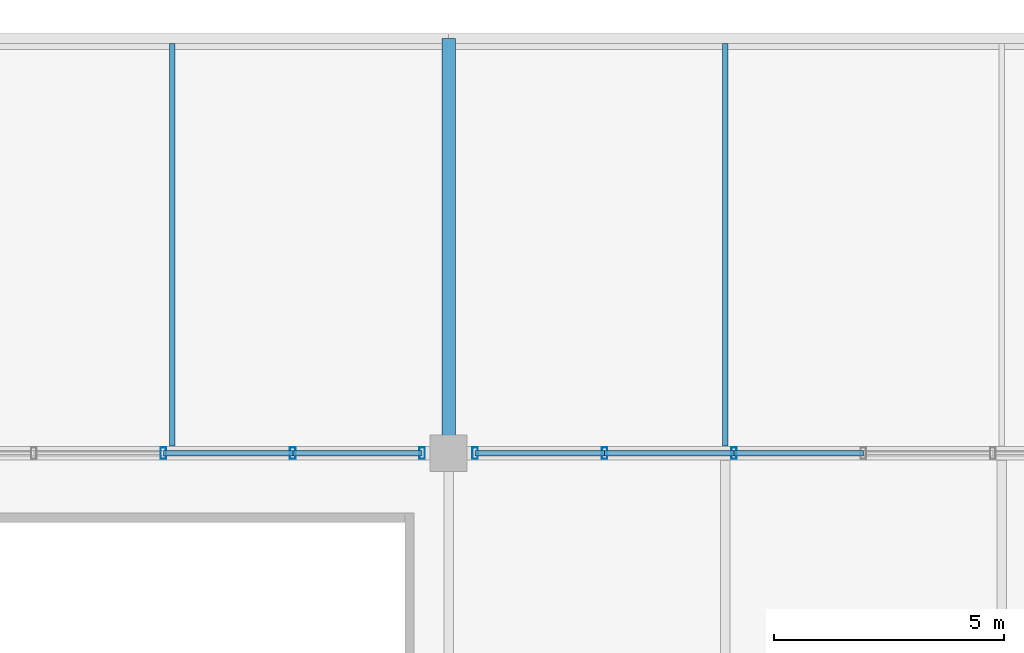
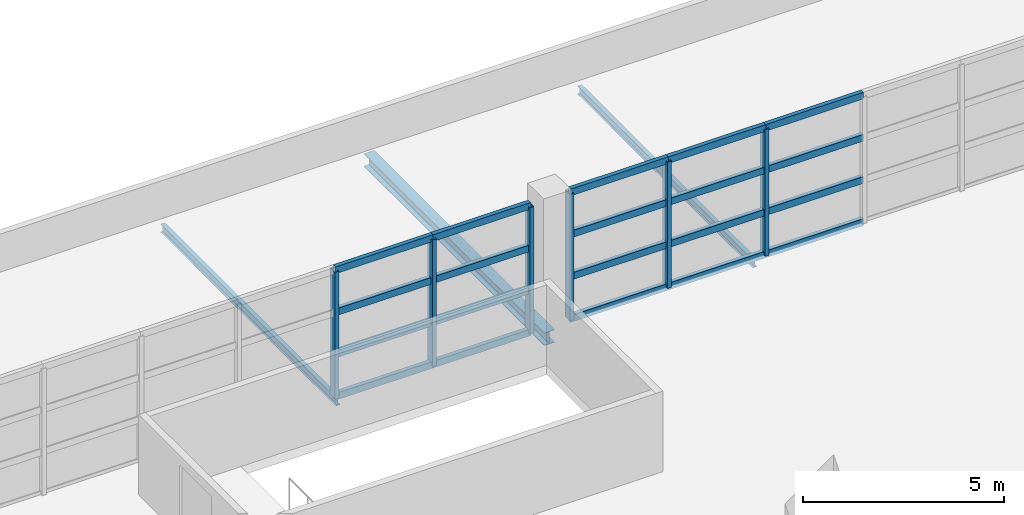
# One storey, part 48 of 136: 26 members, 3 beams, 2 elements without a shape of their own.
"""IFC4 building model written with IfcOpenShell, lengths in metres."""

from ifc_helpers import new_model, si_unit, direction, frame, origin, origin_2d, place, context, subcontext, project, spatial, hollow_rectangle, i_section, extrude, material, material_profile, profile_set, type_object, element, aggregate, save


model = new_model("IFC4")

# Units and contexts
model_context = context("Model", 3, precision=1e-05, world=origin(), true_north=direction((0.0, 1.0)))
body_context = subcontext(model_context, "Body", "Model", "MODEL_VIEW")
ifc_project = project(units=[si_unit("LENGTHUNIT", "METRE"), si_unit("AREAUNIT", "SQUARE_METRE"), si_unit("VOLUMEUNIT", "CUBIC_METRE"), si_unit("PLANEANGLEUNIT", "RADIAN"), si_unit("MASSUNIT", "GRAM", prefix="KILO")], contexts=[model_context])

# Site, building, storey
site_placement = place(None, origin())
site = spatial("IfcSite", under=ifc_project, at=site_placement, CompositionType="ELEMENT")
building_placement = place(site_placement, origin())
building = spatial("IfcBuilding", under=site, at=building_placement, Name="Chuanluo Vaults Station", CompositionType="ELEMENT")
storey_placement = place(building_placement, frame((0.0, 0.0, 6.60009765625)))
storey = spatial("IfcBuildingStorey", under=building, at=storey_placement, Name="L01", CompositionType="ELEMENT", Elevation=6.60009765625)

# Beams
ifc_material_1 = material(Name="Steel Q355C", Category="steel")
ifc_material_profile_1 = material_profile(ifc_material_1, i_section(OverallWidth=0.300048828125, OverallDepth=0.389892578125, WebThickness=0.010009765625, FlangeThickness=0.01611328125, FilletRadius=0.02001953125, at=origin_2d()))
ifc_profile_set_1 = profile_set([ifc_material_profile_1], Name="Steel Q355C")
beam_type_1 = type_object("IfcBeamType", Name="BM-GRD-400", PredefinedType="BEAM", material=ifc_profile_set_1)
beam_placement = place(storey_placement, frame((72.0, 117.0, -0.400146484375), z_axis=(0.0, 1.0, 0.0), x_axis=(-1.0, 0.0, 0.0)))
element("IfcBeam", 1, at=beam_placement, inside=storey, type_object=beam_type_1, Name="Floor girder BM:GY:L01:0439", PredefinedType="BEAM", context=body_context, shape_type="SweptSolid", body=[
    extrude(i_section(OverallWidth=0.300048828125, OverallDepth=0.389892578125, WebThickness=0.010009765625, FlangeThickness=0.01611328125, FilletRadius=0.02001953125, at=origin_2d()), origin(), (0.0, 0.0, 1.0), 9.0),
])
ifc_material_2 = material(Name="Steel Q355C", Category="steel")
ifc_material_profile_2 = material_profile(ifc_material_2, i_section(OverallWidth=0.125, OverallDepth=0.25, WebThickness=0.006103515625, FlangeThickness=0.009033203125, FilletRadius=0.011962890625, at=origin_2d()))
ifc_profile_set_2 = profile_set([ifc_material_profile_2], Name="Steel Q355C")
beam_type_2 = type_object("IfcBeamType", Name="BM-SEC-250", PredefinedType="JOIST", material=ifc_profile_set_2)
for number, where, z_axis, x_axis, name in (
    (2, (66.0, 117.155029296875, -0.330078125), (0.0, 1.0, 0.0), (-1.0, 0.0, 0.0), "Composite secondary joist 0127"),
    (3, (78.0, 117.155029296875, -0.330078125), (0.0, 1.0, 0.0), (-1.0, 0.0, 0.0), "Composite secondary joist 0134"),
):
    element("IfcBeam", number, at=place(storey_placement, frame(where, z_axis=z_axis, x_axis=x_axis)), inside=storey, type_object=beam_type_2, Name=name, PredefinedType="JOIST", context=body_context, shape_type="SweptSolid", body=[
        extrude(i_section(OverallWidth=0.125, OverallDepth=0.25, WebThickness=0.006103515625, FlangeThickness=0.009033203125, FilletRadius=0.011962890625, at=origin_2d()), origin(), (0.0, 0.0, 1.0), 8.73486328125),
    ])

# Curtain wall, members
ifc_material_3 = material(Name="Anodised aluminium 6063-T6", Category="aluminium")
curtain_wall_type_1 = type_object("IfcCurtainWallType", Name="CW-SYS-15", PredefinedType="NOTDEFINED", material=ifc_material_3)
curtain_wall_1_placement = place(storey_placement, origin())
curtain_wall_1 = element("IfcCurtainWall", 4, at=curtain_wall_1_placement, inside=storey, type_object=curtain_wall_type_1, Name="Over-track V4 north facade CW", PredefinedType="NOTDEFINED")
ifc_material_4 = material(Name="Anodised aluminium 6063-T6", Category="aluminium")
ifc_material_profile_3 = material_profile(ifc_material_4, hollow_rectangle(XDim=0.1201171875, YDim=0.25, WallThickness=0.006103515625, at=origin_2d()))
ifc_profile_set_3 = profile_set([ifc_material_profile_3], Name="Anodised aluminium 6063-T6")
member_type_1 = type_object("IfcMemberType", Name="CWM-160", PredefinedType="MULLION", material=ifc_profile_set_3)
member_1_placement = place(storey_placement, frame((65.808349609375, 117.0, 0.0), z_axis=(0.0, 0.0, 1.0), x_axis=(1.0, 0.0, 0.0)))
member_1 = element("IfcMember", 5, at=member_1_placement, type_object=member_type_1, Name="Over-track V4 north facade CW mullion 5", PredefinedType="MULLION", context=body_context, shape_type="SweptSolid", body=[
    extrude(hollow_rectangle(XDim=0.1201171875, YDim=0.25, WallThickness=0.006103515625, at=origin_2d()), origin(), (0.0, 0.0, 1.0), 3.849853515625),
])
member_2_placement = place(storey_placement, frame((68.61669921875, 117.0, 0.0), z_axis=(0.0, 0.0, 1.0), x_axis=(1.0, 0.0, 0.0)))
member_2 = element("IfcMember", 6, at=member_2_placement, type_object=member_type_1, Name="Over-track V4 north facade CW mullion 6", PredefinedType="MULLION", context=body_context, shape_type="SweptSolid", body=[
    extrude(hollow_rectangle(XDim=0.1201171875, YDim=0.25, WallThickness=0.006103515625, at=origin_2d()), origin(), (0.0, 0.0, 1.0), 3.849853515625),
])
member_3_placement = place(storey_placement, frame((71.425048828125, 117.0, 0.0), z_axis=(0.0, 0.0, 1.0), x_axis=(1.0, 0.0, 0.0)))
member_3 = element("IfcMember", 7, at=member_3_placement, type_object=member_type_1, Name="Over-track V4 north facade CW mullion 7", PredefinedType="MULLION", context=body_context, shape_type="SweptSolid", body=[
    extrude(hollow_rectangle(XDim=0.1201171875, YDim=0.25, WallThickness=0.006103515625, at=origin_2d()), origin(), (0.0, 0.0, 1.0), 3.849853515625),
])

ifc_material_5 = material(Name="Anodised aluminium 6063-T6", Category="aluminium")
curtain_wall_type_2 = type_object("IfcCurtainWallType", Name="CW-SYS-19", PredefinedType="NOTDEFINED", material=ifc_material_5)
curtain_wall_2_placement = place(storey_placement, origin())
curtain_wall_2 = element("IfcCurtainWall", 8, at=curtain_wall_2_placement, inside=storey, type_object=curtain_wall_type_2, Name="Over-track V5 north facade CW", PredefinedType="NOTDEFINED")
member_4_placement = place(storey_placement, frame((72.574951171875, 117.0, 0.0), z_axis=(0.0, 0.0, 1.0), x_axis=(1.0, 0.0, 0.0)))
member_4 = element("IfcMember", 9, at=member_4_placement, type_object=member_type_1, Name="Over-track V5 north facade CW mullion 1", PredefinedType="MULLION", context=body_context, shape_type="SweptSolid", body=[
    extrude(hollow_rectangle(XDim=0.1201171875, YDim=0.25, WallThickness=0.006103515625, at=origin_2d()), origin(), (0.0, 0.0, 1.0), 3.849853515625),
])
member_5_placement = place(storey_placement, frame((75.38330078125, 117.0, 0.0), z_axis=(0.0, 0.0, 1.0), x_axis=(1.0, 0.0, 0.0)))
member_5 = element("IfcMember", 10, at=member_5_placement, type_object=member_type_1, Name="Over-track V5 north facade CW mullion 2", PredefinedType="MULLION", context=body_context, shape_type="SweptSolid", body=[
    extrude(hollow_rectangle(XDim=0.1201171875, YDim=0.25, WallThickness=0.006103515625, at=origin_2d()), origin(), (0.0, 0.0, 1.0), 3.849853515625),
])
member_6_placement = place(storey_placement, frame((78.191650390625, 117.0, 0.0), z_axis=(0.0, 0.0, 1.0), x_axis=(1.0, 0.0, 0.0)))
member_6 = element("IfcMember", 11, at=member_6_placement, type_object=member_type_1, Name="Over-track V5 north facade CW mullion 3", PredefinedType="MULLION", context=body_context, shape_type="SweptSolid", body=[
    extrude(hollow_rectangle(XDim=0.1201171875, YDim=0.25, WallThickness=0.006103515625, at=origin_2d()), origin(), (0.0, 0.0, 1.0), 3.849853515625),
])

# Member
ifc_material_6 = material(Name="Anodised aluminium 6063-T6", Category="aluminium")
ifc_material_profile_4 = material_profile(ifc_material_6, hollow_rectangle(XDim=0.1201171875, YDim=0.205078125, WallThickness=0.006103515625, at=origin_2d()))
ifc_profile_set_4 = profile_set([ifc_material_profile_4], Name="Anodised aluminium 6063-T6")
member_type_2 = type_object("IfcMemberType", Name="CWT-130", PredefinedType="USERDEFINED", material=ifc_profile_set_4)
member_7_placement = place(storey_placement, frame((65.808349609375, 117.0, 0.0), z_axis=(1.0, 0.0, 0.0), x_axis=(0.0, 1.0, 0.0)))
member_7 = element("IfcMember", 12, at=member_7_placement, type_object=member_type_2, Name="Over-track V4 north facade CW transom 5.1", ObjectType="TRANSOM", PredefinedType="USERDEFINED", context=body_context, shape_type="SweptSolid", body=[
    extrude(hollow_rectangle(XDim=0.1201171875, YDim=0.205078125, WallThickness=0.006103515625, at=origin_2d()), origin(), (0.0, 0.0, 1.0), 2.808349609375),
])

member_8_placement = place(storey_placement, frame((65.808349609375, 117.0, 1.283203125), z_axis=(1.0, 0.0, 0.0), x_axis=(0.0, 1.0, 0.0)))
member_8 = element("IfcMember", 13, at=member_8_placement, type_object=member_type_2, Name="Over-track V4 north facade CW transom 5.2", ObjectType="TRANSOM", PredefinedType="USERDEFINED", context=body_context, shape_type="SweptSolid", body=[
    extrude(hollow_rectangle(XDim=0.1201171875, YDim=0.205078125, WallThickness=0.006103515625, at=origin_2d()), origin(), (0.0, 0.0, 1.0), 2.808349609375),
])

member_9_placement = place(storey_placement, frame((65.808349609375, 117.0, 2.566650390625), z_axis=(1.0, 0.0, 0.0), x_axis=(0.0, 1.0, 0.0)))
member_9 = element("IfcMember", 14, at=member_9_placement, type_object=member_type_2, Name="Over-track V4 north facade CW transom 5.3", ObjectType="TRANSOM", PredefinedType="USERDEFINED", context=body_context, shape_type="SweptSolid", body=[
    extrude(hollow_rectangle(XDim=0.1201171875, YDim=0.205078125, WallThickness=0.006103515625, at=origin_2d()), origin(), (0.0, 0.0, 1.0), 2.808349609375),
])

member_10_placement = place(storey_placement, frame((65.808349609375, 117.0, 3.849853515625), z_axis=(1.0, 0.0, 0.0), x_axis=(0.0, 1.0, 0.0)))
member_10 = element("IfcMember", 15, at=member_10_placement, type_object=member_type_2, Name="Over-track V4 north facade CW transom 5.4", ObjectType="TRANSOM", PredefinedType="USERDEFINED", context=body_context, shape_type="SweptSolid", body=[
    extrude(hollow_rectangle(XDim=0.1201171875, YDim=0.205078125, WallThickness=0.006103515625, at=origin_2d()), origin(), (0.0, 0.0, 1.0), 2.808349609375),
])

member_11_placement = place(storey_placement, frame((68.61669921875, 117.0, 0.0), z_axis=(1.0, 0.0, 0.0), x_axis=(0.0, 1.0, 0.0)))
member_11 = element("IfcMember", 16, at=member_11_placement, type_object=member_type_2, Name="Over-track V4 north facade CW transom 6.1", ObjectType="TRANSOM", PredefinedType="USERDEFINED", context=body_context, shape_type="SweptSolid", body=[
    extrude(hollow_rectangle(XDim=0.1201171875, YDim=0.205078125, WallThickness=0.006103515625, at=origin_2d()), origin(), (0.0, 0.0, 1.0), 2.808349609375),
])

member_12_placement = place(storey_placement, frame((68.61669921875, 117.0, 1.283203125), z_axis=(1.0, 0.0, 0.0), x_axis=(0.0, 1.0, 0.0)))
member_12 = element("IfcMember", 17, at=member_12_placement, type_object=member_type_2, Name="Over-track V4 north facade CW transom 6.2", ObjectType="TRANSOM", PredefinedType="USERDEFINED", context=body_context, shape_type="SweptSolid", body=[
    extrude(hollow_rectangle(XDim=0.1201171875, YDim=0.205078125, WallThickness=0.006103515625, at=origin_2d()), origin(), (0.0, 0.0, 1.0), 2.808349609375),
])

member_13_placement = place(storey_placement, frame((68.61669921875, 117.0, 2.566650390625), z_axis=(1.0, 0.0, 0.0), x_axis=(0.0, 1.0, 0.0)))
member_13 = element("IfcMember", 18, at=member_13_placement, type_object=member_type_2, Name="Over-track V4 north facade CW transom 6.3", ObjectType="TRANSOM", PredefinedType="USERDEFINED", context=body_context, shape_type="SweptSolid", body=[
    extrude(hollow_rectangle(XDim=0.1201171875, YDim=0.205078125, WallThickness=0.006103515625, at=origin_2d()), origin(), (0.0, 0.0, 1.0), 2.808349609375),
])

member_14_placement = place(storey_placement, frame((68.61669921875, 117.0, 3.849853515625), z_axis=(1.0, 0.0, 0.0), x_axis=(0.0, 1.0, 0.0)))
member_14 = element("IfcMember", 19, at=member_14_placement, type_object=member_type_2, Name="Over-track V4 north facade CW transom 6.4", ObjectType="TRANSOM", PredefinedType="USERDEFINED", context=body_context, shape_type="SweptSolid", body=[
    extrude(hollow_rectangle(XDim=0.1201171875, YDim=0.205078125, WallThickness=0.006103515625, at=origin_2d()), origin(), (0.0, 0.0, 1.0), 2.808349609375),
])

aggregate(curtain_wall_1, [member_1, member_2, member_3, member_7, member_8, member_9, member_10, member_11, member_12, member_13, member_14])

member_15_placement = place(storey_placement, frame((72.574951171875, 117.0, 0.0), z_axis=(1.0, 0.0, 0.0), x_axis=(0.0, 1.0, 0.0)))
member_15 = element("IfcMember", 20, at=member_15_placement, type_object=member_type_2, Name="Over-track V5 north facade CW transom 1.1", ObjectType="TRANSOM", PredefinedType="USERDEFINED", context=body_context, shape_type="SweptSolid", body=[
    extrude(hollow_rectangle(XDim=0.1201171875, YDim=0.205078125, WallThickness=0.006103515625, at=origin_2d()), origin(), (0.0, 0.0, 1.0), 2.808349609375),
])

member_16_placement = place(storey_placement, frame((72.574951171875, 117.0, 1.283203125), z_axis=(1.0, 0.0, 0.0), x_axis=(0.0, 1.0, 0.0)))
member_16 = element("IfcMember", 21, at=member_16_placement, type_object=member_type_2, Name="Over-track V5 north facade CW transom 1.2", ObjectType="TRANSOM", PredefinedType="USERDEFINED", context=body_context, shape_type="SweptSolid", body=[
    extrude(hollow_rectangle(XDim=0.1201171875, YDim=0.205078125, WallThickness=0.006103515625, at=origin_2d()), origin(), (0.0, 0.0, 1.0), 2.808349609375),
])

member_17_placement = place(storey_placement, frame((72.574951171875, 117.0, 2.566650390625), z_axis=(1.0, 0.0, 0.0), x_axis=(0.0, 1.0, 0.0)))
member_17 = element("IfcMember", 22, at=member_17_placement, type_object=member_type_2, Name="Over-track V5 north facade CW transom 1.3", ObjectType="TRANSOM", PredefinedType="USERDEFINED", context=body_context, shape_type="SweptSolid", body=[
    extrude(hollow_rectangle(XDim=0.1201171875, YDim=0.205078125, WallThickness=0.006103515625, at=origin_2d()), origin(), (0.0, 0.0, 1.0), 2.808349609375),
])

member_18_placement = place(storey_placement, frame((72.574951171875, 117.0, 3.849853515625), z_axis=(1.0, 0.0, 0.0), x_axis=(0.0, 1.0, 0.0)))
member_18 = element("IfcMember", 23, at=member_18_placement, type_object=member_type_2, Name="Over-track V5 north facade CW transom 1.4", ObjectType="TRANSOM", PredefinedType="USERDEFINED", context=body_context, shape_type="SweptSolid", body=[
    extrude(hollow_rectangle(XDim=0.1201171875, YDim=0.205078125, WallThickness=0.006103515625, at=origin_2d()), origin(), (0.0, 0.0, 1.0), 2.808349609375),
])

member_19_placement = place(storey_placement, frame((75.38330078125, 117.0, 0.0), z_axis=(1.0, 0.0, 0.0), x_axis=(0.0, 1.0, 0.0)))
member_19 = element("IfcMember", 24, at=member_19_placement, type_object=member_type_2, Name="Over-track V5 north facade CW transom 2.1", ObjectType="TRANSOM", PredefinedType="USERDEFINED", context=body_context, shape_type="SweptSolid", body=[
    extrude(hollow_rectangle(XDim=0.1201171875, YDim=0.205078125, WallThickness=0.006103515625, at=origin_2d()), origin(), (0.0, 0.0, 1.0), 2.808349609375),
])

member_20_placement = place(storey_placement, frame((75.38330078125, 117.0, 1.283203125), z_axis=(1.0, 0.0, 0.0), x_axis=(0.0, 1.0, 0.0)))
member_20 = element("IfcMember", 25, at=member_20_placement, type_object=member_type_2, Name="Over-track V5 north facade CW transom 2.2", ObjectType="TRANSOM", PredefinedType="USERDEFINED", context=body_context, shape_type="SweptSolid", body=[
    extrude(hollow_rectangle(XDim=0.1201171875, YDim=0.205078125, WallThickness=0.006103515625, at=origin_2d()), origin(), (0.0, 0.0, 1.0), 2.808349609375),
])

member_21_placement = place(storey_placement, frame((75.38330078125, 117.0, 2.566650390625), z_axis=(1.0, 0.0, 0.0), x_axis=(0.0, 1.0, 0.0)))
member_21 = element("IfcMember", 26, at=member_21_placement, type_object=member_type_2, Name="Over-track V5 north facade CW transom 2.3", ObjectType="TRANSOM", PredefinedType="USERDEFINED", context=body_context, shape_type="SweptSolid", body=[
    extrude(hollow_rectangle(XDim=0.1201171875, YDim=0.205078125, WallThickness=0.006103515625, at=origin_2d()), origin(), (0.0, 0.0, 1.0), 2.808349609375),
])

member_22_placement = place(storey_placement, frame((75.38330078125, 117.0, 3.849853515625), z_axis=(1.0, 0.0, 0.0), x_axis=(0.0, 1.0, 0.0)))
member_22 = element("IfcMember", 27, at=member_22_placement, type_object=member_type_2, Name="Over-track V5 north facade CW transom 2.4", ObjectType="TRANSOM", PredefinedType="USERDEFINED", context=body_context, shape_type="SweptSolid", body=[
    extrude(hollow_rectangle(XDim=0.1201171875, YDim=0.205078125, WallThickness=0.006103515625, at=origin_2d()), origin(), (0.0, 0.0, 1.0), 2.808349609375),
])

member_23_placement = place(storey_placement, frame((78.191650390625, 117.0, 0.0), z_axis=(1.0, 0.0, 0.0), x_axis=(0.0, 1.0, 0.0)))
member_23 = element("IfcMember", 28, at=member_23_placement, type_object=member_type_2, Name="Over-track V5 north facade CW transom 3.1", ObjectType="TRANSOM", PredefinedType="USERDEFINED", context=body_context, shape_type="SweptSolid", body=[
    extrude(hollow_rectangle(XDim=0.1201171875, YDim=0.205078125, WallThickness=0.006103515625, at=origin_2d()), origin(), (0.0, 0.0, 1.0), 2.808349609375),
])

member_24_placement = place(storey_placement, frame((78.191650390625, 117.0, 1.283203125), z_axis=(1.0, 0.0, 0.0), x_axis=(0.0, 1.0, 0.0)))
member_24 = element("IfcMember", 29, at=member_24_placement, type_object=member_type_2, Name="Over-track V5 north facade CW transom 3.2", ObjectType="TRANSOM", PredefinedType="USERDEFINED", context=body_context, shape_type="SweptSolid", body=[
    extrude(hollow_rectangle(XDim=0.1201171875, YDim=0.205078125, WallThickness=0.006103515625, at=origin_2d()), origin(), (0.0, 0.0, 1.0), 2.808349609375),
])

member_25_placement = place(storey_placement, frame((78.191650390625, 117.0, 2.566650390625), z_axis=(1.0, 0.0, 0.0), x_axis=(0.0, 1.0, 0.0)))
member_25 = element("IfcMember", 30, at=member_25_placement, type_object=member_type_2, Name="Over-track V5 north facade CW transom 3.3", ObjectType="TRANSOM", PredefinedType="USERDEFINED", context=body_context, shape_type="SweptSolid", body=[
    extrude(hollow_rectangle(XDim=0.1201171875, YDim=0.205078125, WallThickness=0.006103515625, at=origin_2d()), origin(), (0.0, 0.0, 1.0), 2.808349609375),
])

member_26_placement = place(storey_placement, frame((78.191650390625, 117.0, 3.849853515625), z_axis=(1.0, 0.0, 0.0), x_axis=(0.0, 1.0, 0.0)))
member_26 = element("IfcMember", 31, at=member_26_placement, type_object=member_type_2, Name="Over-track V5 north facade CW transom 3.4", ObjectType="TRANSOM", PredefinedType="USERDEFINED", context=body_context, shape_type="SweptSolid", body=[
    extrude(hollow_rectangle(XDim=0.1201171875, YDim=0.205078125, WallThickness=0.006103515625, at=origin_2d()), origin(), (0.0, 0.0, 1.0), 2.808349609375),
])

aggregate(curtain_wall_2, [member_4, member_5, member_6, member_15, member_16, member_17, member_18, member_19, member_20, member_21, member_22, member_23, member_24, member_25, member_26])

save(model, "model.ifc")
